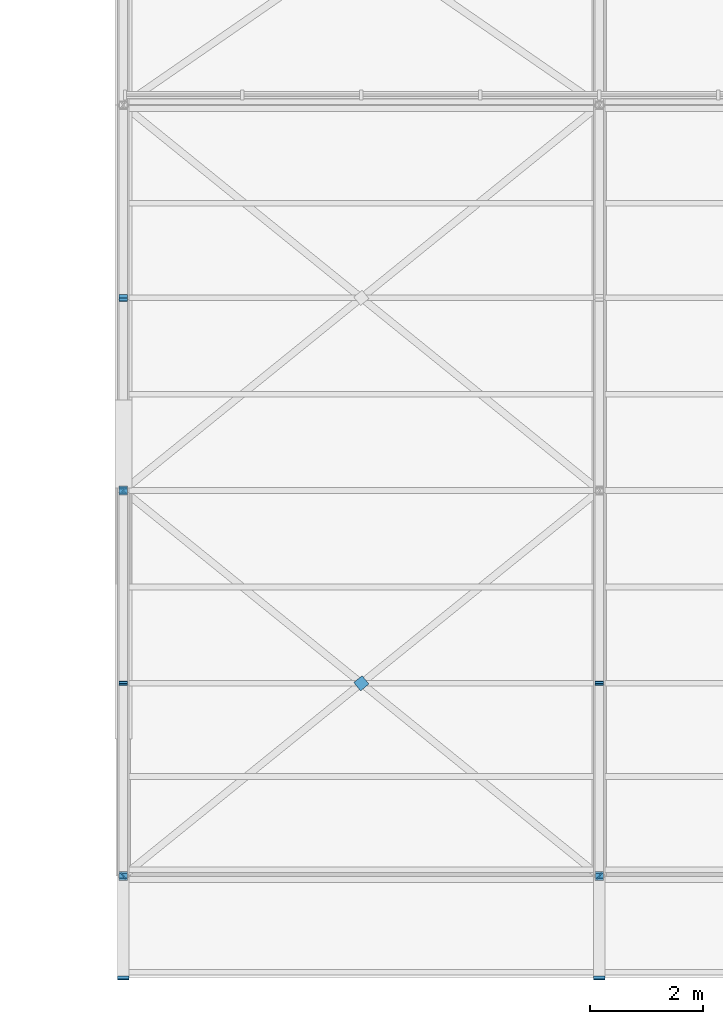
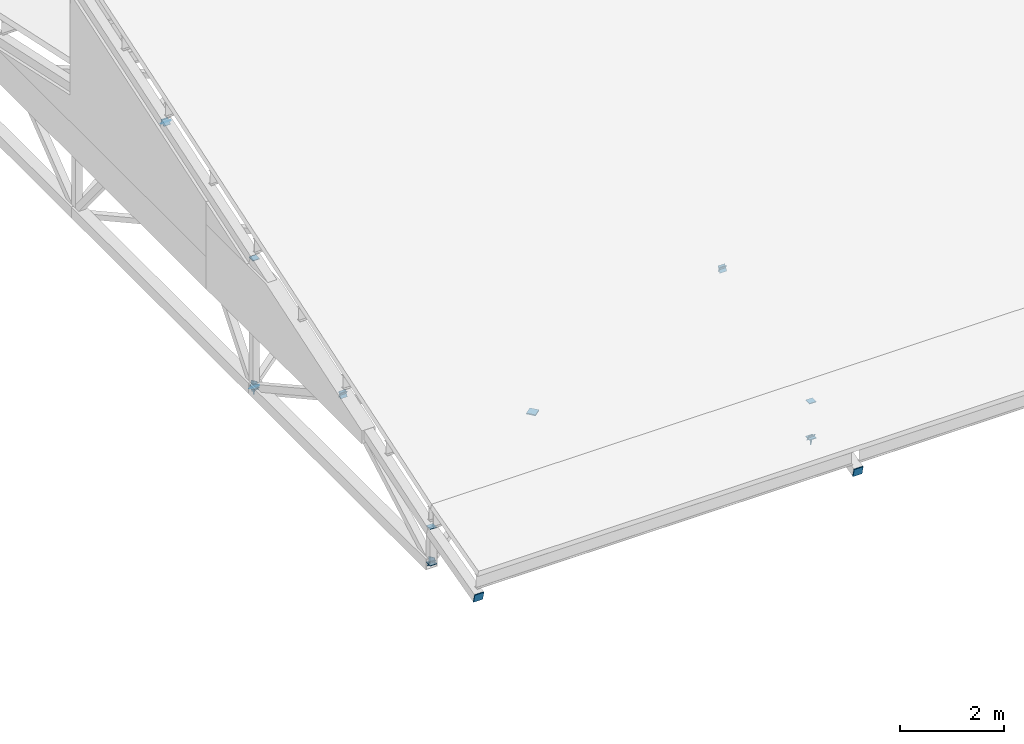
# One storey, part 64 of 89: 23 discrete accessories.
"""IFC4 building model written with IfcOpenShell, lengths in metres."""

import ifcopenshell
import ifcopenshell.guid

model = None  # the IFC model being written
_history = None  # IfcOwnerHistory: only IFC2X3 demands one
_inside = {}  # id of a spatial element -> (the spatial element, [elements in it])
_under = {}  # id of a project, library or spatial element -> (it, [spatial elements below it])
_declared = {}  # id of a project -> (the project, [libraries it declares])
_typed = {}  # id of a type object -> (the type object, [elements of that type])
_made_of = {}  # id of a material, layer set ... -> (it, [elements and type objects made of it])


def new_model(schema):
    """Start an empty IFC model of exactly this schema.

    Asked for "IFC4X3", IfcOpenShell would pick the latest addendum, in which some entities
    have other attributes; the version numbers below select the first issue.
    IFC2X3 requires an IfcOwnerHistory on every rooted entity: one is made here for all.
    """
    global model, _history
    if schema == "IFC4X3":
        model = ifcopenshell.file(schema_version=(4, 3, 0, 0))
    else:
        model = ifcopenshell.file(schema=schema)
    _inside.clear()
    _under.clear()
    _declared.clear()
    _typed.clear()
    _made_of.clear()
    _history = None
    if model.schema == "IFC2X3":
        org = make("IfcOrganization", Name="unknown")
        user = make(
            "IfcPersonAndOrganization",
            ThePerson=make("IfcPerson", FamilyName="unknown"),
            TheOrganization=org,
        )
        app = make(
            "IfcApplication",
            ApplicationDeveloper=org,
            Version="unknown",
            ApplicationFullName="unknown",
            ApplicationIdentifier="unknown",
        )
        _history = make(
            "IfcOwnerHistory",
            OwningUser=user,
            OwningApplication=app,
            ChangeAction="ADDED",
            CreationDate=0,
        )
    return model


def make(cls, **values):
    """One entity of the class cls with the attributes given. An attribute that is None is left unset."""
    return model.create_entity(
        cls, **{name: value for name, value in values.items() if value is not None}
    )


def rooted(cls, **values):
    """An entity with a GlobalId (a new one), such as an element, a storey or a relation."""
    return make(cls, GlobalId=ifcopenshell.guid.new(), OwnerHistory=_history, **values)


def si_unit(unit_type, name, prefix=None):
    """IfcSIUnit, for example si_unit("LENGTHUNIT", "METRE", prefix="MILLI")."""
    return make("IfcSIUnit", UnitType=unit_type, Prefix=prefix, Name=name)


def assignment(units):
    """IfcUnitAssignment: the units of a project."""
    return None if units is None else make("IfcUnitAssignment", Units=units)


def point(xyz):
    """IfcCartesianPoint."""
    return None if xyz is None else make("IfcCartesianPoint", Coordinates=xyz)


def direction(xyz):
    """IfcDirection."""
    return None if xyz is None else make("IfcDirection", DirectionRatios=xyz)


def frame(location, z_axis=None, x_axis=None):
    """IfcAxis2Placement3D, a coordinate frame: its origin and axes. An axis left out is left unset."""
    return make(
        "IfcAxis2Placement3D",
        Location=point(location),
        Axis=direction(z_axis),
        RefDirection=direction(x_axis),
    )


def frame_2d(location, x_axis=None):
    """IfcAxis2Placement2D, a coordinate frame in the plane: its origin and x axis."""
    return make(
        "IfcAxis2Placement2D", Location=point(location), RefDirection=direction(x_axis)
    )


def origin():
    """The frame at (0, 0, 0) with its axes left unset."""
    return frame((0.0, 0.0, 0.0))


def origin_2d():
    """The frame at (0, 0) in the plane with its x axis left unset."""
    return frame_2d((0.0, 0.0))


def place(relative_to, where):
    """IfcLocalPlacement: puts the frame where relative to a parent placement (None: the world)."""
    return make(
        "IfcLocalPlacement", PlacementRelTo=relative_to, RelativePlacement=where
    )


def context(
    kind, dimensions, precision=None, world=None, true_north=None, identifier=None
):
    """IfcGeometricRepresentationContext, for example the 3D "Model" context."""
    return make(
        "IfcGeometricRepresentationContext",
        ContextIdentifier=identifier,
        ContextType=kind,
        CoordinateSpaceDimension=dimensions,
        Precision=precision,
        WorldCoordinateSystem=world,
        TrueNorth=true_north,
    )


def subcontext(parent, identifier, kind, view, scale=None):
    """IfcGeometricRepresentationSubContext, for example "Body" below "Model"."""
    return make(
        "IfcGeometricRepresentationSubContext",
        ContextIdentifier=identifier,
        ContextType=kind,
        ParentContext=parent,
        TargetScale=scale,
        TargetView=view,
    )


def project(units=None, contexts=None):
    """IfcProject with its units and contexts."""
    return rooted(
        "IfcProject",
        Name="project",
        RepresentationContexts=contexts,
        UnitsInContext=assignment(units),
    )


def spatial(cls, under=None, at=None, **own):
    """A site, building, storey or space (cls), placed at a placement, below another one or the project."""
    s = rooted(cls, ObjectPlacement=at, **own)
    if under is not None:
        _under.setdefault(under.id(), (under, []))[1].append(s)
    return s


def profile(cls, at=None, kind="AREA", **sizes):
    """A parametric profile (cls). Its sizes go by their IFC names, for example OverallWidth=200.0."""
    return make(cls, ProfileType=kind, Position=at, **sizes)


def rectangle(**sizes):
    """IfcRectangleProfileDef."""
    return profile("IfcRectangleProfileDef", **sizes)


def extrude(swept, where, along, depth):
    """IfcExtrudedAreaSolid: the profile swept, set in the frame where, extruded along a direction by depth."""
    return make(
        "IfcExtrudedAreaSolid",
        SweptArea=swept,
        Position=where,
        ExtrudedDirection=direction(along),
        Depth=depth,
    )


def shape(context_of_items, identifier, shape_type, items):
    """IfcShapeRepresentation: the items that make up one representation, for example the "Body"."""
    return make(
        "IfcShapeRepresentation",
        ContextOfItems=context_of_items,
        RepresentationIdentifier=identifier,
        RepresentationType=shape_type,
        Items=items,
    )


def material(Name=None, Category=None):
    """IfcMaterial."""
    return make("IfcMaterial", Name=Name, Category=Category)


def made_of(thing, what):
    """Note that an element or type object is made of a material, layer set ...; save() writes the relation."""
    if what is not None:
        _made_of.setdefault(what.id(), (what, []))[1].append(thing)
    return thing


def element(
    cls,
    number,
    at=None,
    inside=None,
    cuts=None,
    type_object=None,
    material=None,
    context=None,
    identifier="Body",
    shape_type=None,
    held_by="IfcProductDefinitionShape",
    body=None,
    shapes=None,
    **own,
):
    """One element of the class cls, such as IfcWall. Its Tag is "e" and its number.

    at: its placement. inside: the storey or other place that contains it. cuts: it is an
    opening in that element (IfcRelVoidsElement). A single representation is given by context,
    identifier, shape_type and body (its items); several are given by shapes. held_by: the class
    of the entity that holds the representations. save() writes the other relations.
    """
    e = rooted(cls, Tag="e%d" % number, ObjectPlacement=at, **own)
    if body is not None:
        shapes = [shape(context, identifier, shape_type, body)]
    if shapes is not None:
        e.Representation = make(held_by, Representations=shapes)
    if inside is not None:
        _inside.setdefault(inside.id(), (inside, []))[1].append(e)
    if cuts is not None:
        rooted(
            "IfcRelVoidsElement", RelatingBuildingElement=cuts, RelatedOpeningElement=e
        )
    if type_object is not None:
        _typed.setdefault(type_object.id(), (type_object, []))[1].append(e)
    return made_of(e, material)


def aggregate(whole, parts):
    """IfcRelAggregates: a whole, such as a stair, and the parts it consists of."""
    return rooted("IfcRelAggregates", RelatingObject=whole, RelatedObjects=parts)


def save(model, path):
    """Write the relations noted so far, then the file.

    IfcRelAggregates (storeys below a building ...), IfcRelContainedInSpatialStructure (elements
    in a storey), IfcRelDefinesByType, IfcRelAssociatesMaterial and IfcRelDeclares: one each for
    every whole, place, type object, material and project.
    """
    for whole, parts in _under.values():
        aggregate(whole, parts)
    for where, things in _inside.values():
        rooted(
            "IfcRelContainedInSpatialStructure",
            RelatedElements=things,
            RelatingStructure=where,
        )
    for kind, things in _typed.values():
        rooted("IfcRelDefinesByType", RelatedObjects=things, RelatingType=kind)
    for what, things in _made_of.values():
        rooted("IfcRelAssociatesMaterial", RelatedObjects=things, RelatingMaterial=what)
    for by, libraries in _declared.values():
        rooted("IfcRelDeclares", RelatingContext=by, RelatedDefinitions=libraries)
    model.write(path)


model = new_model("IFC4")

# Units and contexts
model_context = context("Model", 3, precision=1e-05, world=origin(), true_north=direction((0.0, 1.0)))
body_context = subcontext(model_context, "Body", "Model", "MODEL_VIEW")
ifc_project = project(units=[si_unit("LENGTHUNIT", "METRE"), si_unit("AREAUNIT", "SQUARE_METRE"), si_unit("VOLUMEUNIT", "CUBIC_METRE"), si_unit("PLANEANGLEUNIT", "RADIAN"), si_unit("MASSUNIT", "GRAM", prefix="KILO")], contexts=[model_context])

# Site, building, storey
site_placement = place(None, origin())
site = spatial("IfcSite", under=ifc_project, at=site_placement, CompositionType="ELEMENT")
building_placement = place(site_placement, origin())
building = spatial("IfcBuilding", under=site, at=building_placement, Name="Hlaing Beacon Police Headquarters", CompositionType="ELEMENT")
storey_placement = place(building_placement, frame((0.0, 0.0, 9.89990234375)))
storey = spatial("IfcBuildingStorey", under=building, at=storey_placement, Name="L02", CompositionType="ELEMENT", Elevation=9.89990234375)

# Discrete accessories
ifc_material = material(Name="Steel ASTM A572 Grade 50", Category="steel")
for number, where, z_axis, x_axis, name in (
    (1, (92.39990234375, 8.39990234375, -1.36474609375), (0.0, 0.0, -1.0), (1.0, 0.0, 0.0), "Gusset plate GP-519"),
    (2, (92.39990234375, 8.39990234375, -0.53369140625), (0.0, 0.0, 1.0), (1.0, 0.0, 0.0), "Gusset plate GP-520"),
    (3, (92.39990234375, 15.199951171875, -1.36474609375), (0.0, 0.0, -1.0), (1.0, 0.0, 0.0), "Gusset plate GP-521"),
    (4, (92.39990234375, 15.199951171875, 1.630859375), (0.0, 0.0, 1.0), (1.0, 0.0, 0.0), "Gusset plate GP-522"),
):
    element("IfcDiscreteAccessory", number, at=place(storey_placement, frame(where, z_axis=z_axis, x_axis=x_axis)), inside=storey, material=ifc_material, Name=name, PredefinedType="BRACKET", context=body_context, shape_type="SweptSolid", body=[
        extrude(rectangle(XDim=0.15234375, YDim=0.15234375, at=origin_2d()), origin(), (0.0, 0.0, 1.0), 0.01611328125),
    ])
for number, where, z_axis, x_axis, name in (
    (5, (92.39990234375, 8.405029296875, -1.369873046875), (0.0, -0.874402972299, -0.485200414298), (1.0, 0.0, 0.0), "Gusset plate GP-529"),
    (6, (92.39990234375, 11.794677734375, 0.510986328125), (0.0, 0.874402972299, 0.485200414298), (-1.0, 0.0, 0.0), "Gusset plate GP-530"),
    (7, (92.39990234375, 11.80517578125, 0.510986328125), (0.0, -0.874388190335, 0.485227052629), (1.0, 0.0, 0.0), "Gusset plate GP-531"),
    (8, (92.39990234375, 15.19482421875, -1.369873046875), (0.0, 0.874388190335, -0.485227052629), (-1.0, 0.0, 0.0), "Gusset plate GP-532"),
    (9, (92.39990234375, 15.203857421875, -1.3681640625), (0.0, -0.634976630923, -0.772531344465), (1.0, 0.0, 0.0), "Gusset plate GP-533"),
    (10, (92.39990234375, 18.59619140625, 2.75927734375), (0.0, 0.634976630923, 0.772531344465), (-1.0, 0.0, 0.0), "Gusset plate GP-534"),
    (11, (92.39990234375, 18.60400390625, 2.75927734375), (0.0, -0.634949419501, 0.772553709897), (1.0, 0.0, 0.0), "Gusset plate GP-535"),
):
    element("IfcDiscreteAccessory", number, at=place(storey_placement, frame(where, z_axis=z_axis, x_axis=x_axis)), inside=storey, material=ifc_material, Name=name, PredefinedType="BRACKET", context=body_context, shape_type="SweptSolid", body=[
        extrude(rectangle(XDim=0.15234375, YDim=0.15234375, at=origin_2d()), origin(), (0.0, 0.0, 1.0), 0.011962890625),
    ])
for number, where, z_axis, x_axis, name in (
    (12, (100.800048828125, 8.39990234375, -1.36474609375), (0.0, 0.0, -1.0), (1.0, 0.0, 0.0), "Gusset plate GP-545"),
    (13, (100.800048828125, 8.39990234375, -0.53369140625), (0.0, 0.0, 1.0), (1.0, 0.0, 0.0), "Gusset plate GP-546"),
):
    element("IfcDiscreteAccessory", number, at=place(storey_placement, frame(where, z_axis=z_axis, x_axis=x_axis)), inside=storey, material=ifc_material, Name=name, PredefinedType="BRACKET", context=body_context, shape_type="SweptSolid", body=[
        extrude(rectangle(XDim=0.15234375, YDim=0.15234375, at=origin_2d()), origin(), (0.0, 0.0, 1.0), 0.01611328125),
    ])
for number, where, z_axis, x_axis, name in (
    (14, (100.800048828125, 8.405029296875, -1.369873046875), (0.0, -0.874402972299, -0.485200414298), (1.0, 0.0, 0.0), "Gusset plate GP-555"),
    (15, (100.800048828125, 11.794677734375, 0.510986328125), (0.0, 0.874402972299, 0.485200414298), (-1.0, 0.0, 0.0), "Gusset plate GP-556"),
    (16, (100.800048828125, 11.80517578125, 0.510986328125), (0.0, -0.874388190335, 0.485227052629), (1.0, 0.0, 0.0), "Gusset plate GP-557"),
):
    element("IfcDiscreteAccessory", number, at=place(storey_placement, frame(where, z_axis=z_axis, x_axis=x_axis)), inside=storey, material=ifc_material, Name=name, PredefinedType="BRACKET", context=body_context, shape_type="SweptSolid", body=[
        extrude(rectangle(XDim=0.15234375, YDim=0.15234375, at=origin_2d()), origin(), (0.0, 0.0, 1.0), 0.011962890625),
    ])
for number, where, z_axis, x_axis, name in (
    (17, (92.404541015625, 8.403564453125, -1.29931640625), (-0.777248027084, -0.629194329595, 0.0), (0.629194329595, -0.777248027084, 0.0), "Gusset plate GP-675"),
    (18, (100.79541015625, 8.403564453125, -1.4462890625), (0.777248027084, -0.629194329595, 0.0), (0.629194329595, 0.777248027084, 0.0), "Gusset plate GP-677"),
    (19, (92.404541015625, 15.1962890625, -1.4462890625), (-0.777248027084, 0.629194329595, 0.0), (-0.629194329595, -0.777248027084, 0.0), "Gusset plate GP-678"),
    (20, (92.404541015625, 15.20361328125, -1.29931640625), (-0.777248027084, -0.629194329595, 0.0), (0.629194329595, -0.777248027084, 0.0), "Gusset plate GP-679"),
):
    element("IfcDiscreteAccessory", number, at=place(storey_placement, frame(where, z_axis=z_axis, x_axis=x_axis)), inside=storey, material=ifc_material, Name=name, PredefinedType="BRACKET", context=body_context, shape_type="SweptSolid", body=[
        extrude(rectangle(XDim=0.126953125, YDim=0.126953125, at=origin_2d()), origin(), (0.0, 0.0, 1.0), 0.011962890625),
    ])
discrete_accessory_placement = place(storey_placement, frame((96.60009765625, 11.800048828125, -1.385986328125), z_axis=(0.0, 0.0, 1.0), x_axis=(0.777244870707, 0.629198228668, 0.0)))
element("IfcDiscreteAccessory", 21, at=discrete_accessory_placement, inside=storey, material=ifc_material, Name="Node plate NP-017", PredefinedType="BRACKET", context=body_context, shape_type="SweptSolid", body=[
    extrude(rectangle(XDim=0.1904296875, YDim=0.1904296875, at=origin_2d()), origin(), (0.0, 0.0, 1.0), 0.02587890625),
])
for number, where, z_axis, x_axis, name in (
    (22, (92.39990234375, 6.60986328125, -1.07763671875), (0.0, -0.966977619685, -0.254861301553), (1.0, 0.0, 0.0), "Chord end plate CE-010"),
    (23, (100.800048828125, 6.60986328125, -1.07763671875), (0.0, -0.966977619685, -0.254861301553), (1.0, 0.0, 0.0), "Chord end plate CE-011"),
):
    element("IfcDiscreteAccessory", number, at=place(storey_placement, frame(where, z_axis=z_axis, x_axis=x_axis)), inside=storey, material=ifc_material, Name=name, PredefinedType="BRACKET", context=body_context, shape_type="SweptSolid", body=[
        extrude(rectangle(XDim=0.203125, YDim=0.203125, at=origin_2d()), origin(), (0.0, 0.0, 1.0), 0.02001953125),
    ])

save(model, "model.ifc")
